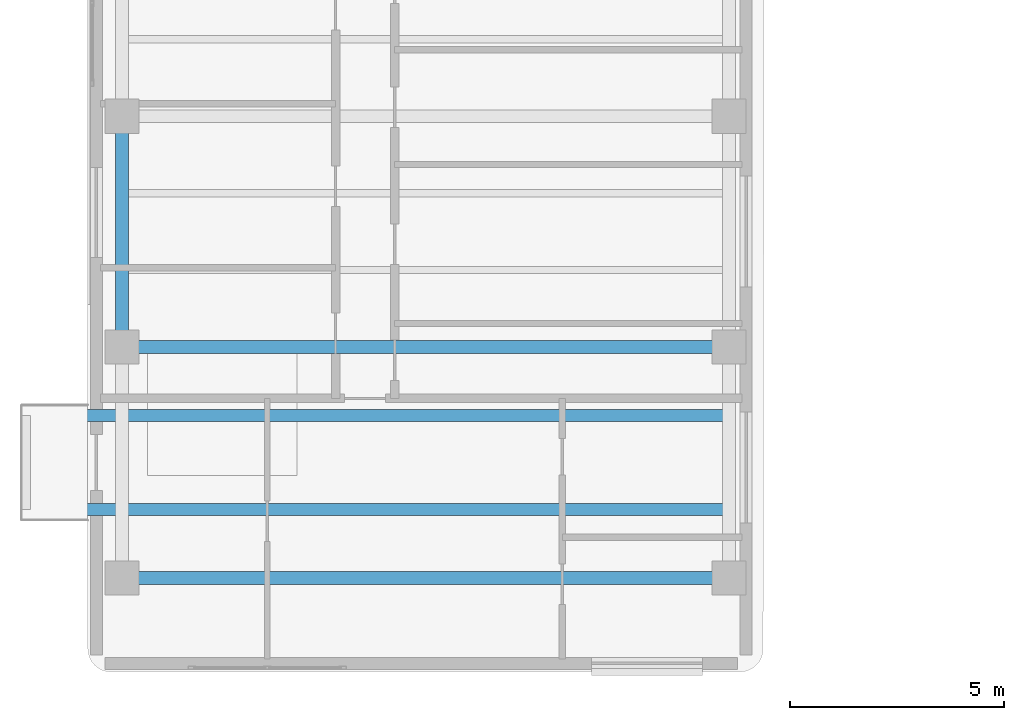
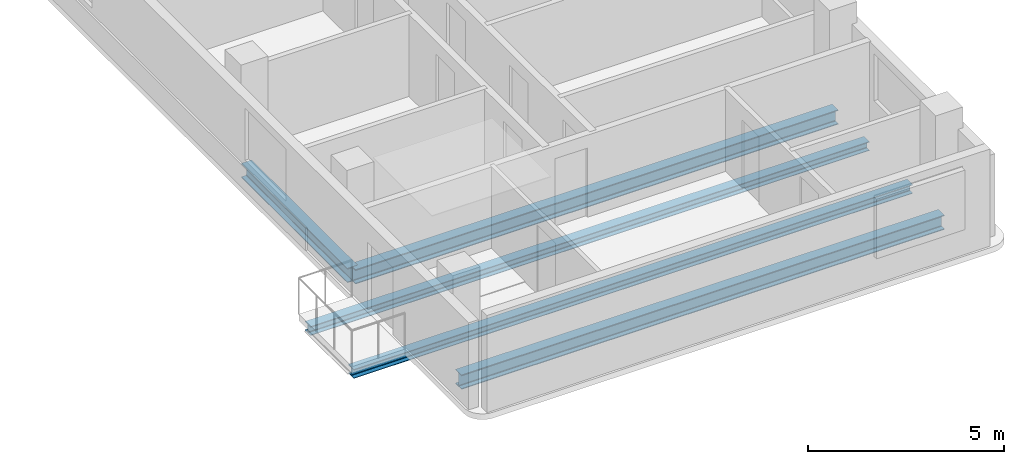
# One storey, part 3 of 11: 5 beams.
"""IFC4 building model written with IfcOpenShell, lengths in metres."""

from ifc_helpers import new_model, si_unit, direction, frame, origin, origin_2d, place, context, subcontext, project, spatial, i_section, extrude, material, material_profile, profile_set, type_object, element, save


model = new_model("IFC4")

# Units and contexts
model_context = context("Model", 3, precision=1e-05, world=origin(), true_north=direction((0.0, 1.0)))
body_context = subcontext(model_context, "Body", "Model", "MODEL_VIEW")
ifc_project = project(units=[si_unit("LENGTHUNIT", "METRE"), si_unit("AREAUNIT", "SQUARE_METRE"), si_unit("VOLUMEUNIT", "CUBIC_METRE"), si_unit("PLANEANGLEUNIT", "RADIAN"), si_unit("MASSUNIT", "GRAM", prefix="KILO")], contexts=[model_context])

# Site, building, storey
site_placement = place(None, origin())
site = spatial("IfcSite", under=ifc_project, at=site_placement, CompositionType="ELEMENT")
building_placement = place(site_placement, origin())
building = spatial("IfcBuilding", under=site, at=building_placement, Name="Kuzgunbayir Cultural Tower", CompositionType="ELEMENT")
storey_placement = place(building_placement, frame((0.0, 0.0, 234.39990234375)))
storey = spatial("IfcBuildingStorey", under=building, at=storey_placement, Name="L69", CompositionType="ELEMENT", Elevation=234.39990234375)

# Beams
ifc_material = material(Name="Steel S355J2", Category="steel")
ifc_material_profile_1 = material_profile(ifc_material, i_section(OverallWidth=0.280029296875, OverallDepth=0.280029296875, WebThickness=0.010498046875, FlangeThickness=0.01806640625, FilletRadius=0.02392578125, at=origin_2d()), Name="HEB 280")
ifc_profile_set_1 = profile_set([ifc_material_profile_1], Name="Steel S355J2")
beam_type_1 = type_object("IfcBeamType", Name="BM-BAL-HEB280", PredefinedType="BEAM", material=ifc_profile_set_1)
for number, where, z_axis, x_axis, name in (
    (1, (3.159912109375, 14.199951171875, -0.33984375), (1.0, 0.0, 0.0), (0.0, 1.0, 0.0), "L69 Balcony Outrigger Beam BAL-L69-WA1.1"),
    (2, (3.159912109375, 16.39990234375, -0.33984375), (1.0, 0.0, 0.0), (0.0, 1.0, 0.0), "L69 Balcony Outrigger Beam BAL-L69-WA1.2"),
):
    element("IfcBeam", number, at=place(storey_placement, frame(where, z_axis=z_axis, x_axis=x_axis)), inside=storey, type_object=beam_type_1, Name=name, PredefinedType="BEAM", context=body_context, shape_type="SweptSolid", body=[
        extrude(i_section(OverallWidth=0.280029296875, OverallDepth=0.280029296875, WebThickness=0.010498046875, FlangeThickness=0.01806640625, FilletRadius=0.02392578125, at=origin_2d()), origin(), (0.0, 0.0, 1.0), 16.440185546875),
    ])
ifc_material_profile_2 = material_profile(ifc_material, i_section(OverallWidth=0.300048828125, OverallDepth=0.449951171875, WebThickness=0.013916015625, FlangeThickness=0.02587890625, FilletRadius=0.027099609375, at=origin_2d()), Name="HEB 450")
ifc_profile_set_2 = profile_set([ifc_material_profile_2], Name="Steel S355J2")
beam_type_2 = type_object("IfcBeamType", Name="BM-EXT-HEB450", PredefinedType="BEAM", material=ifc_profile_set_2)
beam_placement = place(storey_placement, frame((5.39990234375, 18.0, -0.39990234375), z_axis=(0.0, 1.0, 0.0), x_axis=(-1.0, 0.0, 0.0)))
element("IfcBeam", 3, at=beam_placement, inside=storey, type_object=beam_type_2, Name="L69 Wing A West Girder 2", PredefinedType="BEAM", context=body_context, shape_type="SweptSolid", body=[
    extrude(i_section(OverallWidth=0.300048828125, OverallDepth=0.449951171875, WebThickness=0.013916015625, FlangeThickness=0.02587890625, FilletRadius=0.027099609375, at=origin_2d()), origin(), (0.0, 0.0, 1.0), 5.39990234375),
])
ifc_material_profile_3 = material_profile(ifc_material, i_section(OverallWidth=0.300048828125, OverallDepth=0.449951171875, WebThickness=0.013916015625, FlangeThickness=0.02587890625, FilletRadius=0.027099609375, at=origin_2d()), Name="HEB 450")
ifc_profile_set_3 = profile_set([ifc_material_profile_3], Name="Steel S355J2")
beam_type_3 = type_object("IfcBeamType", Name="BM-GIR-HEB450", PredefinedType="BEAM", material=ifc_profile_set_3)
for number, where, z_axis, x_axis, name in (
    (4, (5.39990234375, 12.60009765625, -0.39990234375), (1.0, 0.0, 0.0), (0.0, 1.0, 0.0), "L69 Wing A Transverse Girder 1"),
    (5, (5.39990234375, 18.0, -0.39990234375), (1.0, 0.0, 0.0), (0.0, 1.0, 0.0), "L69 Wing A Transverse Girder 2"),
):
    element("IfcBeam", number, at=place(storey_placement, frame(where, z_axis=z_axis, x_axis=x_axis)), inside=storey, type_object=beam_type_3, Name=name, PredefinedType="BEAM", context=body_context, shape_type="SweptSolid", body=[
        extrude(i_section(OverallWidth=0.300048828125, OverallDepth=0.449951171875, WebThickness=0.013916015625, FlangeThickness=0.02587890625, FilletRadius=0.027099609375, at=origin_2d()), origin(), (0.0, 0.0, 1.0), 14.2001953125),
    ])

save(model, "model.ifc")
